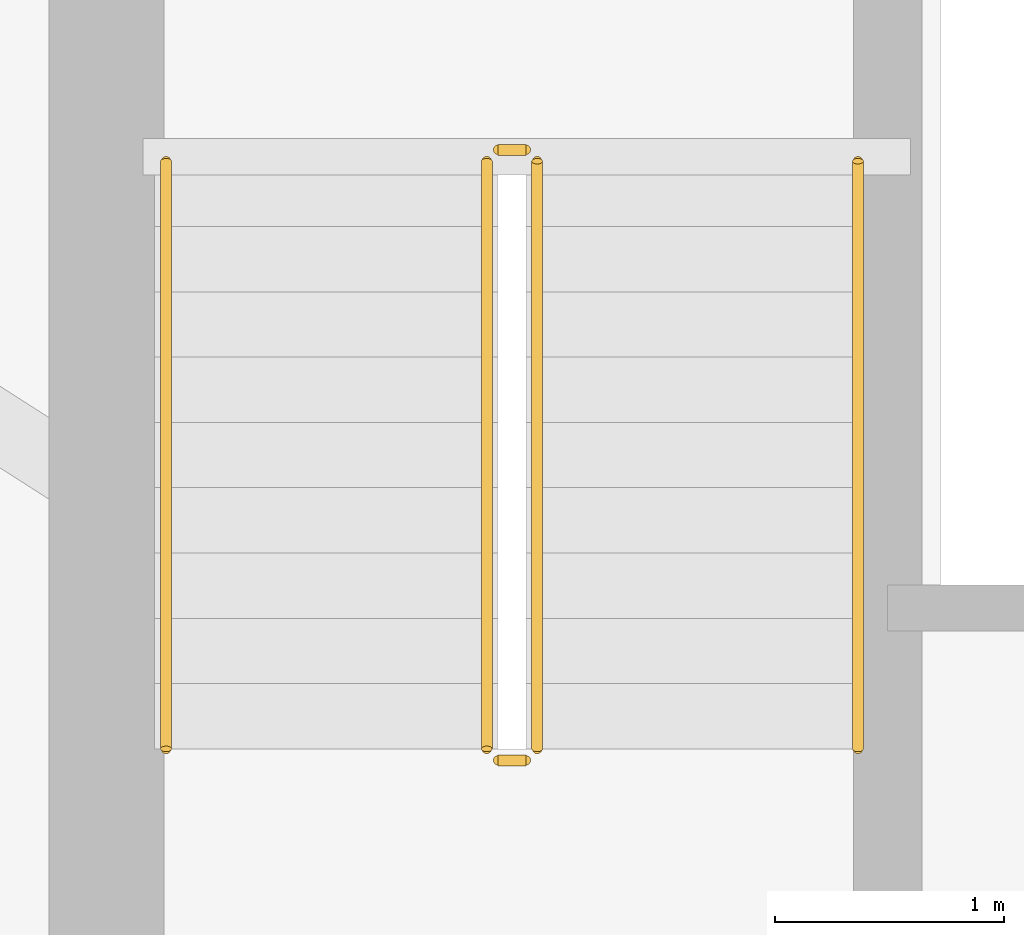
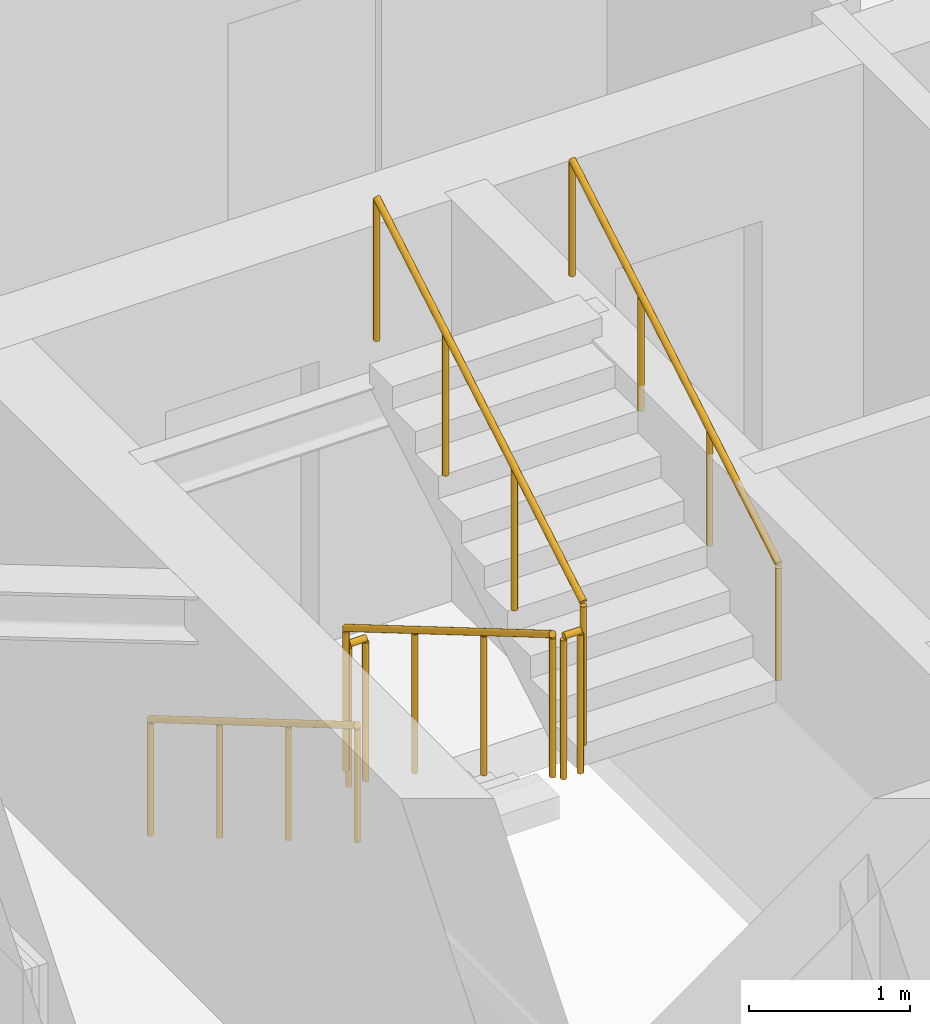
# One storey, part 10 of 11: 6 railings.
"""IFC4 building model written with IfcOpenShell, lengths in metres."""

from ifc_helpers import new_model, si_unit, direction, frame, origin, origin_2d, place, context, subcontext, project, spatial, circle, extrude, material, type_object, element, save


model = new_model("IFC4")

# Units and contexts
model_context = context("Model", 3, precision=1e-05, world=origin(), true_north=direction((0.0, 1.0)))
body_context = subcontext(model_context, "Body", "Model", "MODEL_VIEW")
ifc_project = project(units=[si_unit("LENGTHUNIT", "METRE"), si_unit("AREAUNIT", "SQUARE_METRE"), si_unit("VOLUMEUNIT", "CUBIC_METRE"), si_unit("PLANEANGLEUNIT", "RADIAN"), si_unit("MASSUNIT", "GRAM", prefix="KILO")], contexts=[model_context])

# Site, building, storey
site_placement = place(None, origin())
site = spatial("IfcSite", under=ifc_project, at=site_placement, CompositionType="ELEMENT")
building_placement = place(site_placement, origin())
building = spatial("IfcBuilding", under=site, at=building_placement, Name="Qobustan Lattice House", CompositionType="ELEMENT")
storey_placement = place(building_placement, frame((0.0, 0.0, 209.800048828125)))
storey = spatial("IfcBuildingStorey", under=building, at=storey_placement, Name="L59", CompositionType="ELEMENT", Elevation=209.800048828125)

# Railings
ifc_material_1 = material(Name="Brushed stainless steel handrail", Category="steel")
railing_type_1 = type_object("IfcRailingType", Name="RAL-HR-920", PredefinedType="HANDRAIL", material=ifc_material_1)
railing_1_placement = place(storey_placement, frame((-18.199951171875, 3.5, 0.16748046875)))
element("IfcRailing", 1, at=railing_1_placement, inside=storey, type_object=railing_type_1, Name="L59 ST-W1 stair handrail 1", PredefinedType="HANDRAIL", context=body_context, shape_type="SweptSolid", body=[
    extrude(circle(Radius=0.02392578125, at=origin_2d()), frame((0.0, 0.0, 0.8759765625), z_axis=(0.0, -0.862113467892, 0.50671527358), x_axis=(1.0, 0.0, 0.0)), (0.0, 0.0, 1.0), 2.97509765625),
    extrude(circle(Radius=0.02099609375, at=origin_2d()), origin(), (0.0, 0.0, 1.0), 0.851806640625),
    extrude(circle(Radius=0.02099609375, at=origin_2d()), frame((0.0, -0.85498046875, 0.50244140625)), (0.0, 0.0, 1.0), 0.851806640625),
    extrude(circle(Radius=0.02099609375, at=origin_2d()), frame((0.0, -1.7099609375, 1.005126953125)), (0.0, 0.0, 1.0), 0.851806640625),
    extrude(circle(Radius=0.02099609375, at=origin_2d()), frame((0.0, -2.56494140625, 1.507568359375)), (0.0, 0.0, 1.0), 0.851806640625),
])
railing_2_placement = place(storey_placement, frame((-15.179931640625, 0.93505859375, 1.842529296875)))
element("IfcRailing", 2, at=railing_2_placement, inside=storey, type_object=railing_type_1, Name="L59 ST-W1 stair handrail 2", PredefinedType="HANDRAIL", context=body_context, shape_type="SweptSolid", body=[
    extrude(circle(Radius=0.02392578125, at=origin_2d()), frame((0.0, 0.0, 0.8759765625), z_axis=(0.0, 0.862149314443, 0.506654280161), x_axis=(-1.0, 0.0, 0.0)), (0.0, 0.0, 1.0), 2.97509765625),
    extrude(circle(Radius=0.02099609375, at=origin_2d()), origin(), (0.0, 0.0, 1.0), 0.851806640625),
    extrude(circle(Radius=0.02099609375, at=origin_2d()), frame((0.0, 0.85498046875, 0.50244140625)), (0.0, 0.0, 1.0), 0.851806640625),
    extrude(circle(Radius=0.02099609375, at=origin_2d()), frame((0.0, 1.7099609375, 1.0048828125)), (0.0, 0.0, 1.0), 0.851806640625),
    extrude(circle(Radius=0.02099609375, at=origin_2d()), frame((0.0, 2.56494140625, 1.50732421875)), (0.0, 0.0, 1.0), 0.851806640625),
])
ifc_material_2 = material(Name="Painted galvanized steel guardrail", Category="steel")
railing_type_2 = type_object("IfcRailingType", Name="RAL-STG-1150", PredefinedType="GUARDRAIL", material=ifc_material_2)
railing_3_placement = place(storey_placement, frame((-16.800048828125, 3.5, 0.16748046875)))
element("IfcRailing", 3, at=railing_3_placement, inside=storey, type_object=railing_type_2, Name="L59 ST-W1 stair guard 1", PredefinedType="GUARDRAIL", context=body_context, shape_type="SweptSolid", body=[
    extrude(circle(Radius=0.02392578125, at=origin_2d()), frame((0.0, 0.0, 1.076171875), z_axis=(0.0, -0.862113467892, 0.50671527358), x_axis=(1.0, 0.0, 0.0)), (0.0, 0.0, 1.0), 2.97509765625),
    extrude(circle(Radius=0.02099609375, at=origin_2d()), origin(), (0.0, 0.0, 1.0), 1.052001953125),
    extrude(circle(Radius=0.02099609375, at=origin_2d()), frame((0.0, -0.85498046875, 0.50244140625)), (0.0, 0.0, 1.0), 1.052001953125),
    extrude(circle(Radius=0.02099609375, at=origin_2d()), frame((0.0, -1.7099609375, 1.005126953125)), (0.0, 0.0, 1.0), 1.052001953125),
    extrude(circle(Radius=0.02099609375, at=origin_2d()), frame((0.0, -2.56494140625, 1.507568359375)), (0.0, 0.0, 1.0), 1.052001953125),
])
railing_4_placement = place(storey_placement, frame((-16.75, 0.885009765625, 1.675048828125)))
element("IfcRailing", 4, at=railing_4_placement, inside=storey, type_object=railing_type_2, Name="L59 ST-W1 stair guard 2", PredefinedType="GUARDRAIL", context=body_context, shape_type="SweptSolid", body=[
    extrude(circle(Radius=0.02392578125, at=origin_2d()), frame((0.0, 0.0, 1.076171875), z_axis=(1.0, 0.0, 0.0), x_axis=(0.0, 1.0, 0.0)), (0.0, 0.0, 1.0), 0.1201171875),
    extrude(circle(Radius=0.02099609375, at=origin_2d()), origin(), (0.0, 0.0, 1.0), 1.052001953125),
    extrude(circle(Radius=0.02099609375, at=origin_2d()), frame((0.1201171875, 0.0, 0.0)), (0.0, 0.0, 1.0), 1.052001953125),
])
railing_5_placement = place(storey_placement, frame((-16.580078125, 0.93505859375, 1.842529296875)))
element("IfcRailing", 5, at=railing_5_placement, inside=storey, type_object=railing_type_2, Name="L59 ST-W1 stair guard 3", PredefinedType="GUARDRAIL", context=body_context, shape_type="SweptSolid", body=[
    extrude(circle(Radius=0.02392578125, at=origin_2d()), frame((0.0, 0.0, 1.076171875), z_axis=(0.0, 0.862149314443, 0.506654280161), x_axis=(-1.0, 0.0, 0.0)), (0.0, 0.0, 1.0), 2.97509765625),
    extrude(circle(Radius=0.02099609375, at=origin_2d()), origin(), (0.0, 0.0, 1.0), 1.052001953125),
    extrude(circle(Radius=0.02099609375, at=origin_2d()), frame((0.0, 0.85498046875, 0.50244140625)), (0.0, 0.0, 1.0), 1.052001953125),
    extrude(circle(Radius=0.02099609375, at=origin_2d()), frame((0.0, 1.7099609375, 1.0048828125)), (0.0, 0.0, 1.0), 1.052001953125),
    extrude(circle(Radius=0.02099609375, at=origin_2d()), frame((0.0, 2.56494140625, 1.50732421875)), (0.0, 0.0, 1.0), 1.052001953125),
])
railing_6_placement = place(storey_placement, frame((-16.75, 3.550048828125, 0.0)))
element("IfcRailing", 6, at=railing_6_placement, inside=storey, type_object=railing_type_2, Name="L59 ST-W1 stair guard 4", PredefinedType="GUARDRAIL", context=body_context, shape_type="SweptSolid", body=[
    extrude(circle(Radius=0.02392578125, at=origin_2d()), frame((0.0, 0.0, 1.076171875), z_axis=(1.0, 0.0, 0.0), x_axis=(0.0, 1.0, 0.0)), (0.0, 0.0, 1.0), 0.1201171875),
    extrude(circle(Radius=0.02099609375, at=origin_2d()), origin(), (0.0, 0.0, 1.0), 1.052001953125),
    extrude(circle(Radius=0.02099609375, at=origin_2d()), frame((0.1201171875, 0.0, 0.0)), (0.0, 0.0, 1.0), 1.052001953125),
])

save(model, "model.ifc")
